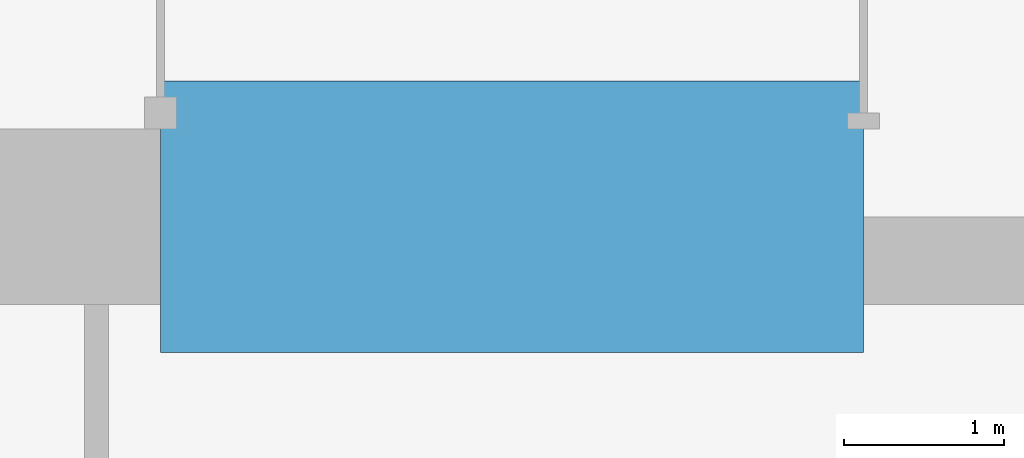
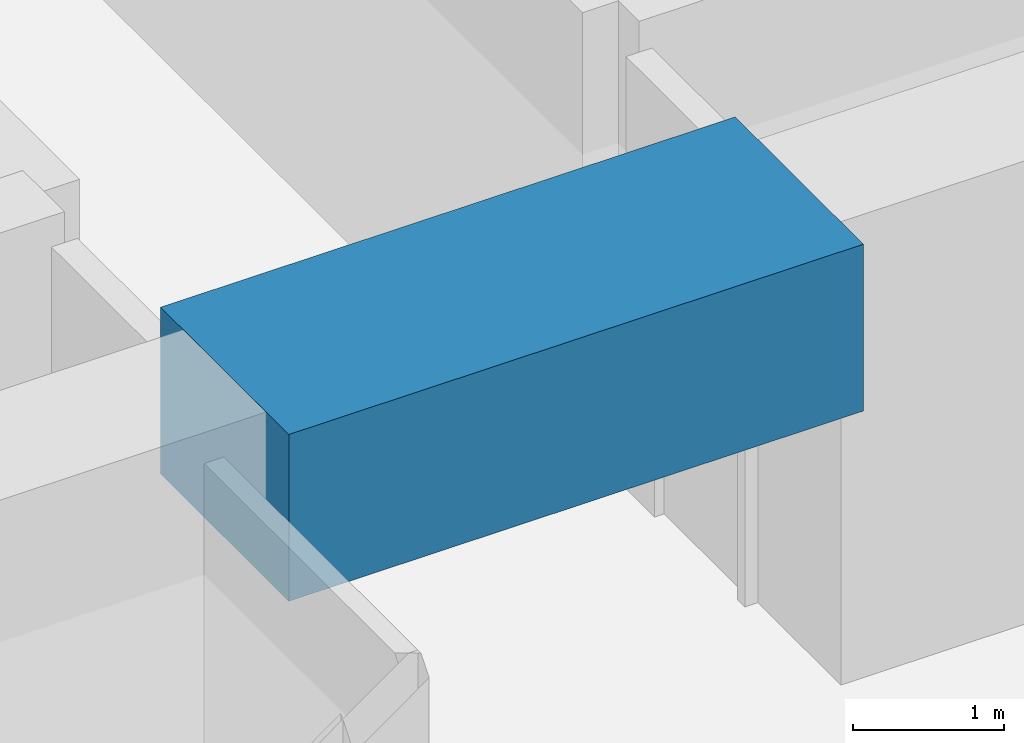
# One storey, part 13 of 44: 1 beam.
"""IFC4 building model written with IfcOpenShell, lengths in metres."""

from ifc_helpers import new_model, si_unit, direction, frame, origin, origin_2d, place, context, subcontext, project, spatial, rectangle, extrude, material, material_profile, profile_set, type_object, element, save


model = new_model("IFC4")

# Units and contexts
model_context = context("Model", 3, precision=1e-05, world=origin(), true_north=direction((0.0, 1.0)))
body_context = subcontext(model_context, "Body", "Model", "MODEL_VIEW")
ifc_project = project(units=[si_unit("LENGTHUNIT", "METRE"), si_unit("AREAUNIT", "SQUARE_METRE"), si_unit("VOLUMEUNIT", "CUBIC_METRE"), si_unit("PLANEANGLEUNIT", "RADIAN"), si_unit("MASSUNIT", "GRAM", prefix="KILO")], contexts=[model_context])

# Site, building, storey
site_placement = place(None, origin())
site = spatial("IfcSite", under=ifc_project, at=site_placement, CompositionType="ELEMENT")
building_placement = place(site_placement, origin())
building = spatial("IfcBuilding", under=site, at=building_placement, Name="Rekha Terrace Tower", CompositionType="ELEMENT")
storey_placement = place(building_placement, frame((0.0, 0.0, 59.14990234375)))
storey = spatial("IfcBuildingStorey", under=building, at=storey_placement, Name="L14", CompositionType="ELEMENT", Elevation=59.14990234375)

# Beam
ifc_material = material(Name="Concrete M70", Category="concrete")
ifc_material_profile = material_profile(ifc_material, rectangle(XDim=1.699951171875, YDim=1.35009765625, at=origin_2d()), Name="RC 1700x1350")
ifc_profile_set = profile_set([ifc_material_profile], Name="Concrete M70")
beam_type = type_object("IfcBeamType", Name="LB1A 1700x1350 diagonally reinforced coupling beam", PredefinedType="LINTEL", material=ifc_profile_set)
beam_placement = place(storey_placement, frame((35.60009765625, 21.0, 3.0751953125), z_axis=(1.0, 0.0, 0.0), x_axis=(0.0, 1.0, 0.0)))
element("IfcBeam", 1, at=beam_placement, inside=storey, type_object=beam_type, Name="Coupling beam LB1A S L14", PredefinedType="LINTEL", context=body_context, shape_type="SweptSolid", body=[
    extrude(rectangle(XDim=1.699951171875, YDim=1.35009765625, at=origin_2d()), origin(), (0.0, 0.0, 1.0), 4.39990234375),
])

save(model, "model.ifc")
